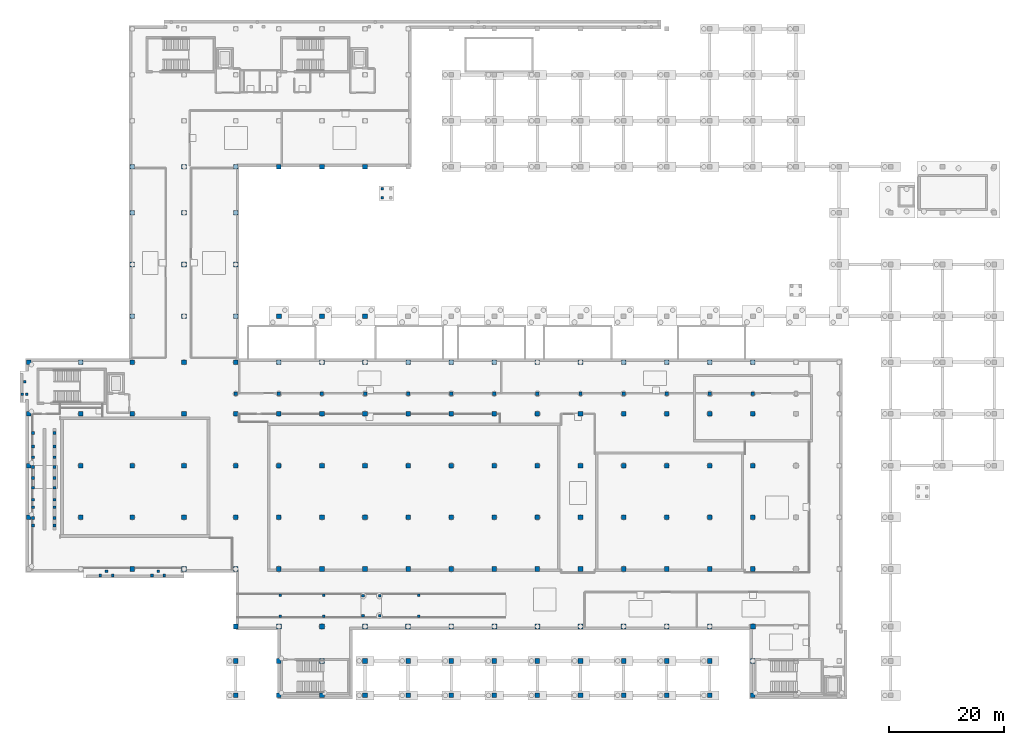
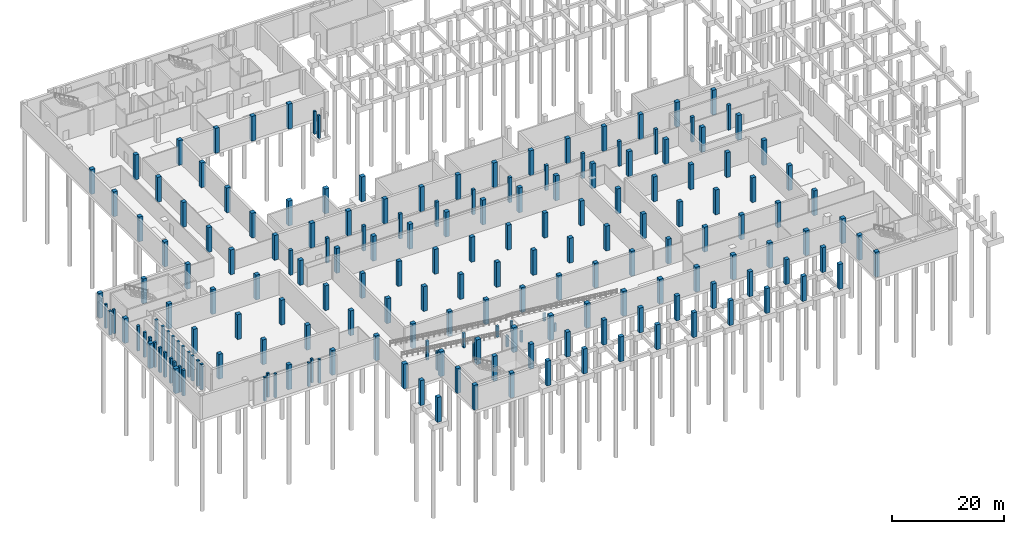
# One storey, part 4 of 19: 194 columns.
"""IFC4 building model written with IfcOpenShell, lengths in metres."""

from ifc_helpers import new_model, si_unit, direction, frame, origin, origin_2d, place, context, subcontext, project, spatial, rectangle, extrude, material, material_profile, profile_set, type_object, element, save


model = new_model("IFC4")

# Units and contexts
model_context = context("Model", 3, precision=1e-05, world=origin(), true_north=direction((0.0, 1.0)))
body_context = subcontext(model_context, "Body", "Model", "MODEL_VIEW")
ifc_project = project(units=[si_unit("LENGTHUNIT", "METRE"), si_unit("AREAUNIT", "SQUARE_METRE"), si_unit("VOLUMEUNIT", "CUBIC_METRE"), si_unit("PLANEANGLEUNIT", "RADIAN"), si_unit("MASSUNIT", "GRAM", prefix="KILO")], contexts=[model_context])

# Site, building, storey
site_placement = place(None, origin())
site = spatial("IfcSite", under=ifc_project, at=site_placement, CompositionType="ELEMENT")
building_placement = place(site_placement, origin())
building = spatial("IfcBuilding", under=site, at=building_placement, Name="Vourika Railside Aquatics Centre", CompositionType="ELEMENT")
storey_placement = place(building_placement, frame((0.0, 0.0, -5.39990234375)))
storey = spatial("IfcBuildingStorey", under=building, at=storey_placement, Name="B1", CompositionType="ELEMENT", Elevation=-5.39990234375)

# Columns
ifc_material_1 = material(Name="Concrete C35/45", Category="concrete")
ifc_material_profile_1 = material_profile(ifc_material_1, rectangle(XDim=0.449951171875, YDim=0.449951171875, at=origin_2d()), Name="RC 450x450")
ifc_profile_set_1 = profile_set([ifc_material_profile_1], Name="Concrete C35/45")
column_type_1 = type_object("IfcColumnType", Name="COL-RC450", PredefinedType="COLUMN", material=ifc_profile_set_1)
for number, where, z_axis, x_axis, name in (
    (1, (61.5, 86.64990234375, 0.0), (0.0, 0.0, 1.0), (1.0, 0.0, 0.0), "Accessible Ramp Apron Pier 2"),
    (2, (61.5, 88.14990234375, 0.0), (0.0, 0.0, 1.0), (1.0, 0.0, 0.0), "Accessible Ramp Apron Pier 2"),
):
    element("IfcColumn", number, at=place(storey_placement, frame(where, z_axis=z_axis, x_axis=x_axis)), inside=storey, type_object=column_type_1, Name=name, PredefinedType="COLUMN", context=body_context, shape_type="SweptSolid", body=[
        extrude(rectangle(XDim=0.449951171875, YDim=0.449951171875, at=origin_2d()), origin(), (0.0, 0.0, 1.0), 4.93994140625),
    ])
for number, where, z_axis, x_axis, name in (
    (3, (-1.1298828125, 52.419921875, 0.0), (0.0, 0.0, 1.0), (1.0, 0.0, 0.0), "Threshold Apron Support Pier V2W_3-1"),
    (4, (-0.3701171875, 52.419921875, 0.0), (0.0, 0.0, 1.0), (1.0, 0.0, 0.0), "Threshold Apron Support Pier V2W_3-2"),
    (5, (-0.75, 54.580078125, 0.0), (0.0, 0.0, 1.0), (1.0, 0.0, 0.0), "Threshold Apron Support Pier V2W_3-3"),
    (6, (12.419921875, 20.8701171875, 0.0), (0.0, 0.0, 1.0), (1.0, 0.0, 0.0), "Threshold Apron Support Pier V2S_1-1"),
    (7, (14.580078125, 20.8701171875, 0.0), (0.0, 0.0, 1.0), (1.0, 0.0, 0.0), "Threshold Apron Support Pier V2S_1-2"),
    (8, (13.5, 21.6298828125, 0.0), (0.0, 0.0, 1.0), (1.0, 0.0, 0.0), "Threshold Apron Support Pier V2S_1-3"),
    (9, (21.419921875, 20.8701171875, 0.0), (0.0, 0.0, 1.0), (1.0, 0.0, 0.0), "Threshold Apron Support Pier V2S_2-1"),
    (10, (23.580078125, 20.8701171875, 0.0), (0.0, 0.0, 1.0), (1.0, 0.0, 0.0), "Threshold Apron Support Pier V2S_2-2"),
    (11, (22.5, 21.6298828125, 0.0), (0.0, 0.0, 1.0), (1.0, 0.0, 0.0), "Threshold Apron Support Pier V2S_2-3"),
):
    element("IfcColumn", number, at=place(storey_placement, frame(where, z_axis=z_axis, x_axis=x_axis)), inside=storey, type_object=column_type_1, Name=name, PredefinedType="COLUMN", context=body_context, shape_type="SweptSolid", body=[
        extrude(rectangle(XDim=0.449951171875, YDim=0.449951171875, at=origin_2d()), origin(), (0.0, 0.0, 1.0), 5.18994140625),
    ])
for number, where, z_axis, x_axis, name in (
    (12, (43.760009765625, 13.75, 0.0), (0.0, 0.0, 1.0), (1.0, 0.0, 0.0), "Service Ramp Upper Pier (43.8,13.8)"),
    (13, (43.760009765625, 17.449951171875, 0.0), (0.0, 0.0, 1.0), (1.0, 0.0, 0.0), "Service Ramp Upper Pier (43.8,17.4)"),
):
    element("IfcColumn", number, at=place(storey_placement, frame(where, z_axis=z_axis, x_axis=x_axis)), inside=storey, type_object=column_type_1, Name=name, PredefinedType="COLUMN", context=body_context, shape_type="SweptSolid", body=[
        extrude(rectangle(XDim=0.449951171875, YDim=0.449951171875, at=origin_2d()), origin(), (0.0, 0.0, 1.0), 4.1748046875),
    ])
for number, where, z_axis, x_axis, name in (
    (14, (51.320068359375, 13.75, 0.0), (0.0, 0.0, 1.0), (1.0, 0.0, 0.0), "Service Ramp Upper Pier (51.3,13.8)"),
    (15, (51.320068359375, 17.449951171875, 0.0), (0.0, 0.0, 1.0), (1.0, 0.0, 0.0), "Service Ramp Upper Pier (51.3,17.4)"),
):
    element("IfcColumn", number, at=place(storey_placement, frame(where, z_axis=z_axis, x_axis=x_axis)), inside=storey, type_object=column_type_1, Name=name, PredefinedType="COLUMN", context=body_context, shape_type="SweptSolid", body=[
        extrude(rectangle(XDim=0.449951171875, YDim=0.449951171875, at=origin_2d()), origin(), (0.0, 0.0, 1.0), 3.22998046875),
    ])
for number, where, z_axis, x_axis, name in (
    (16, (58.14990234375, 13.85009765625, 0.0), (0.0, 0.0, 1.0), (1.0, 0.0, 0.0), "Service Ramp Landing Pier (58.1,13.8)"),
    (17, (58.14990234375, 17.35009765625, 0.0), (0.0, 0.0, 1.0), (1.0, 0.0, 0.0), "Service Ramp Landing Pier (58.1,17.3)"),
    (18, (61.050048828125, 13.85009765625, 0.0), (0.0, 0.0, 1.0), (1.0, 0.0, 0.0), "Service Ramp Landing Pier (61.0,13.8)"),
    (19, (61.050048828125, 17.35009765625, 0.0), (0.0, 0.0, 1.0), (1.0, 0.0, 0.0), "Service Ramp Landing Pier (61.0,17.3)"),
):
    element("IfcColumn", number, at=place(storey_placement, frame(where, z_axis=z_axis, x_axis=x_axis)), inside=storey, type_object=column_type_1, Name=name, PredefinedType="COLUMN", context=body_context, shape_type="SweptSolid", body=[
        extrude(rectangle(XDim=0.449951171875, YDim=0.449951171875, at=origin_2d()), origin(), (0.0, 0.0, 1.0), 2.419921875),
    ])
for number, where, z_axis, x_axis, name in (
    (20, (67.8798828125, 13.75, 0.0), (0.0, 0.0, 1.0), (1.0, 0.0, 0.0), "Service Ramp Lower Pier (67.9,13.8)"),
    (21, (67.8798828125, 17.449951171875, 0.0), (0.0, 0.0, 1.0), (1.0, 0.0, 0.0), "Service Ramp Lower Pier (67.9,17.4)"),
):
    element("IfcColumn", number, at=place(storey_placement, frame(where, z_axis=z_axis, x_axis=x_axis)), inside=storey, type_object=column_type_1, Name=name, PredefinedType="COLUMN", context=body_context, shape_type="SweptSolid", body=[
        extrude(rectangle(XDim=0.449951171875, YDim=0.449951171875, at=origin_2d()), origin(), (0.0, 0.0, 1.0), 1.69384765625),
    ])
ifc_material_profile_2 = material_profile(ifc_material_1, rectangle(XDim=0.5, YDim=0.5, at=origin_2d()), Name="RC 500x500")
ifc_profile_set_2 = profile_set([ifc_material_profile_2], Name="Concrete C35/45")
column_type_2 = type_object("IfcColumnType", Name="COL-RC500", PredefinedType="COLUMN", material=ifc_profile_set_2)
for number, where, z_axis, x_axis, name in (
    (22, (0.719970703125, 29.550048828125, 0.0), (0.0, 0.0, 1.0), (1.0, 0.0, 0.0), "Diving Platform 1.0 m Substructure Pier W1"),
    (23, (4.449951171875, 29.550048828125, 0.0), (0.0, 0.0, 1.0), (1.0, 0.0, 0.0), "Diving Platform 1.0 m Substructure Pier E1"),
    (24, (0.719970703125, 30.85009765625, 0.0), (0.0, 0.0, 1.0), (1.0, 0.0, 0.0), "Diving Platform 1.0 m Substructure Pier W2"),
    (25, (4.449951171875, 30.85009765625, 0.0), (0.0, 0.0, 1.0), (1.0, 0.0, 0.0), "Diving Platform 1.0 m Substructure Pier E2"),
):
    element("IfcColumn", number, at=place(storey_placement, frame(where, z_axis=z_axis, x_axis=x_axis)), inside=storey, type_object=column_type_2, Name=name, PredefinedType="COLUMN", context=body_context, shape_type="SweptSolid", body=[
        extrude(rectangle(XDim=0.5, YDim=0.5, at=origin_2d()), origin(), (0.0, 0.0, 1.0), 5.5498046875),
    ])
for number, where, z_axis, x_axis, name in (
    (26, (0.719970703125, 32.75, 0.0), (0.0, 0.0, 1.0), (1.0, 0.0, 0.0), "Diving Platform 3.0 m Substructure Pier W1"),
    (27, (4.449951171875, 32.75, 0.0), (0.0, 0.0, 1.0), (1.0, 0.0, 0.0), "Diving Platform 3.0 m Substructure Pier E1"),
    (28, (0.719970703125, 34.050048828125, 0.0), (0.0, 0.0, 1.0), (1.0, 0.0, 0.0), "Diving Platform 3.0 m Substructure Pier W2"),
    (29, (4.449951171875, 34.050048828125, 0.0), (0.0, 0.0, 1.0), (1.0, 0.0, 0.0), "Diving Platform 3.0 m Substructure Pier E2"),
    (30, (0.719970703125, 36.14990234375, 0.0), (0.0, 0.0, 1.0), (1.0, 0.0, 0.0), "Diving Platform 5.0 m Substructure Pier W1"),
    (31, (4.449951171875, 36.14990234375, 0.0), (0.0, 0.0, 1.0), (1.0, 0.0, 0.0), "Diving Platform 5.0 m Substructure Pier E1"),
    (32, (0.719970703125, 37.85009765625, 0.0), (0.0, 0.0, 1.0), (1.0, 0.0, 0.0), "Diving Platform 5.0 m Substructure Pier W2"),
    (33, (4.449951171875, 37.85009765625, 0.0), (0.0, 0.0, 1.0), (1.0, 0.0, 0.0), "Diving Platform 5.0 m Substructure Pier E2"),
    (34, (0.719970703125, 39.75, 0.0), (0.0, 0.0, 1.0), (1.0, 0.0, 0.0), "Diving Platform 7.5 m Substructure Pier W1"),
    (35, (4.449951171875, 39.75, 0.0), (0.0, 0.0, 1.0), (1.0, 0.0, 0.0), "Diving Platform 7.5 m Substructure Pier E1"),
    (36, (0.719970703125, 41.449951171875, 0.0), (0.0, 0.0, 1.0), (1.0, 0.0, 0.0), "Diving Platform 7.5 m Substructure Pier W2"),
    (37, (4.449951171875, 41.449951171875, 0.0), (0.0, 0.0, 1.0), (1.0, 0.0, 0.0), "Diving Platform 7.5 m Substructure Pier E2"),
    (38, (0.719970703125, 43.35009765625, 0.0), (0.0, 0.0, 1.0), (1.0, 0.0, 0.0), "Diving Platform 10.0 m Substructure Pier W1"),
    (39, (4.449951171875, 43.35009765625, 0.0), (0.0, 0.0, 1.0), (1.0, 0.0, 0.0), "Diving Platform 10.0 m Substructure Pier E1"),
    (40, (0.719970703125, 45.64990234375, 0.0), (0.0, 0.0, 1.0), (1.0, 0.0, 0.0), "Diving Platform 10.0 m Substructure Pier W2"),
    (41, (4.449951171875, 45.64990234375, 0.0), (0.0, 0.0, 1.0), (1.0, 0.0, 0.0), "Diving Platform 10.0 m Substructure Pier E2"),
):
    element("IfcColumn", number, at=place(storey_placement, frame(where, z_axis=z_axis, x_axis=x_axis)), inside=storey, type_object=column_type_2, Name=name, PredefinedType="COLUMN", context=body_context, shape_type="SweptSolid", body=[
        extrude(rectangle(XDim=0.5, YDim=0.5, at=origin_2d()), origin(), (0.0, 0.0, 1.0), 5.39990234375),
    ])
ifc_material_2 = material(Name="Concrete C40/50", Category="concrete")
ifc_material_profile_3 = material_profile(ifc_material_2, rectangle(XDim=0.60009765625, YDim=0.60009765625, at=origin_2d()), Name="RC 600x600")
ifc_profile_set_3 = profile_set([ifc_material_profile_3], Name="Concrete C40/50")
column_type_3 = type_object("IfcColumnType", Name="COL-RC600", PredefinedType="COLUMN", material=ifc_profile_set_3)
for number, where, z_axis, x_axis, name in (
    (42, (36.0, 52.5, 0.0), (0.0, 0.0, 1.0), (1.0, 0.0, 0.0), "Grandstand Substructure Column 36.0"),
    (43, (43.5, 52.5, 0.0), (0.0, 0.0, 1.0), (1.0, 0.0, 0.0), "Grandstand Substructure Column 43.5"),
    (44, (51.0, 52.5, 0.0), (0.0, 0.0, 1.0), (1.0, 0.0, 0.0), "Grandstand Substructure Column 51.0"),
    (45, (58.5, 52.5, 0.0), (0.0, 0.0, 1.0), (1.0, 0.0, 0.0), "Grandstand Substructure Column 58.5"),
    (46, (66.0, 52.5, 0.0), (0.0, 0.0, 1.0), (1.0, 0.0, 0.0), "Grandstand Substructure Column 66.0"),
    (47, (73.5, 52.5, 0.0), (0.0, 0.0, 1.0), (1.0, 0.0, 0.0), "Grandstand Substructure Column 73.5"),
    (48, (81.0, 52.5, 0.0), (0.0, 0.0, 1.0), (1.0, 0.0, 0.0), "Grandstand Substructure Column 81.0"),
    (49, (88.5, 52.5, 0.0), (0.0, 0.0, 1.0), (1.0, 0.0, 0.0), "Grandstand Substructure Column 88.5"),
    (50, (96.0, 52.5, 0.0), (0.0, 0.0, 1.0), (1.0, 0.0, 0.0), "Grandstand Substructure Column 96.0"),
    (51, (103.5, 52.5, 0.0), (0.0, 0.0, 1.0), (1.0, 0.0, 0.0), "Grandstand Substructure Column 103.5"),
    (52, (111.0, 52.5, 0.0), (0.0, 0.0, 1.0), (1.0, 0.0, 0.0), "Grandstand Substructure Column 111.0"),
    (53, (118.5, 52.5, 0.0), (0.0, 0.0, 1.0), (1.0, 0.0, 0.0), "Grandstand Substructure Column 118.5"),
    (54, (126.0, 52.5, 0.0), (0.0, 0.0, 1.0), (1.0, 0.0, 0.0), "Grandstand Substructure Column 126.0"),
):
    element("IfcColumn", number, at=place(storey_placement, frame(where, z_axis=z_axis, x_axis=x_axis)), inside=storey, type_object=column_type_3, Name=name, PredefinedType="COLUMN", context=body_context, shape_type="SweptSolid", body=[
        extrude(rectangle(XDim=0.60009765625, YDim=0.60009765625, at=origin_2d()), origin(), (0.0, 0.0, 1.0), 5.39990234375),
    ])
ifc_material_profile_4 = material_profile(ifc_material_2, rectangle(XDim=0.800048828125, YDim=0.800048828125, at=origin_2d()), Name="RC 800x800")
ifc_profile_set_4 = profile_set([ifc_material_profile_4], Name="Concrete C40/50")
column_type_4 = type_object("IfcColumnType", Name="COL-RC800", PredefinedType="COLUMN", material=ifc_profile_set_4)
for number, where, z_axis, x_axis, name in (
    (55, (0.0, 31.0, 0.0), (0.0, 0.0, 1.0), (1.0, 0.0, 0.0), "Column col:B1:0_310"),
    (56, (0.0, 40.0, 0.0), (0.0, 0.0, 1.0), (1.0, 0.0, 0.0), "Column col:B1:0_400"),
    (57, (0.0, 49.0, 0.0), (0.0, 0.0, 1.0), (1.0, 0.0, 0.0), "Column col:B1:0_490"),
    (58, (0.0, 58.0, 0.0), (0.0, 0.0, 1.0), (1.0, 0.0, 0.0), "Column col:B1:0_580"),
    (59, (9.0, 31.0, 0.0), (0.0, 0.0, 1.0), (1.0, 0.0, 0.0), "Column col:B1:90_310"),
    (60, (9.0, 40.0, 0.0), (0.0, 0.0, 1.0), (1.0, 0.0, 0.0), "Column col:B1:90_400"),
    (61, (9.0, 49.0, 0.0), (0.0, 0.0, 1.0), (1.0, 0.0, 0.0), "Column col:B1:90_490"),
    (62, (9.0, 58.0, 0.0), (0.0, 0.0, 1.0), (1.0, 0.0, 0.0), "Column col:B1:90_580"),
    (63, (18.0, 22.0, 0.0), (0.0, 0.0, 1.0), (1.0, 0.0, 0.0), "Column col:B1:180_220"),
    (64, (18.0, 31.0, 0.0), (0.0, 0.0, 1.0), (1.0, 0.0, 0.0), "Column col:B1:180_310"),
    (65, (18.0, 40.0, 0.0), (0.0, 0.0, 1.0), (1.0, 0.0, 0.0), "Column col:B1:180_400"),
    (66, (18.0, 49.0, 0.0), (0.0, 0.0, 1.0), (1.0, 0.0, 0.0), "Column col:B1:180_490"),
    (67, (18.0, 58.0, 0.0), (0.0, 0.0, 1.0), (1.0, 0.0, 0.0), "Column col:B1:180_580"),
    (68, (18.0, 66.0, 0.0), (0.0, 0.0, 1.0), (1.0, 0.0, 0.0), "Column col:B1:180_660"),
    (69, (18.0, 75.0, 0.0), (0.0, 0.0, 1.0), (1.0, 0.0, 0.0), "Column col:B1:180_750"),
    (70, (18.0, 84.0, 0.0), (0.0, 0.0, 1.0), (1.0, 0.0, 0.0), "Column col:B1:180_840"),
    (71, (18.0, 92.0, 0.0), (0.0, 0.0, 1.0), (1.0, 0.0, 0.0), "Column col:B1:180_920"),
    (72, (27.0, 22.0, 0.0), (0.0, 0.0, 1.0), (1.0, 0.0, 0.0), "Column col:B1:270_220"),
    (73, (27.0, 31.0, 0.0), (0.0, 0.0, 1.0), (1.0, 0.0, 0.0), "Column col:B1:270_310"),
    (74, (27.0, 40.0, 0.0), (0.0, 0.0, 1.0), (1.0, 0.0, 0.0), "Column col:B1:270_400"),
    (75, (27.0, 49.0, 0.0), (0.0, 0.0, 1.0), (1.0, 0.0, 0.0), "Column col:B1:270_490"),
    (76, (27.0, 58.0, 0.0), (0.0, 0.0, 1.0), (1.0, 0.0, 0.0), "Column col:B1:270_580"),
    (77, (27.0, 66.0, 0.0), (0.0, 0.0, 1.0), (1.0, 0.0, 0.0), "Column col:B1:270_660"),
    (78, (27.0, 75.0, 0.0), (0.0, 0.0, 1.0), (1.0, 0.0, 0.0), "Column col:B1:270_750"),
    (79, (27.0, 84.0, 0.0), (0.0, 0.0, 1.0), (1.0, 0.0, 0.0), "Column col:B1:270_840"),
    (80, (27.0, 92.0, 0.0), (0.0, 0.0, 1.0), (1.0, 0.0, 0.0), "Column col:B1:270_920"),
    (81, (36.0, 0.0, 0.0), (0.0, 0.0, 1.0), (1.0, 0.0, 0.0), "Column col:B1:360_0"),
    (82, (36.0, 6.0, 0.0), (0.0, 0.0, 1.0), (1.0, 0.0, 0.0), "Column col:B1:360_60"),
    (83, (36.0, 22.0, 0.0), (0.0, 0.0, 1.0), (1.0, 0.0, 0.0), "Column col:B1:360_220"),
    (84, (36.0, 31.0, 0.0), (0.0, 0.0, 1.0), (1.0, 0.0, 0.0), "Column col:B1:360_310"),
    (85, (36.0, 40.0, 0.0), (0.0, 0.0, 1.0), (1.0, 0.0, 0.0), "Column col:B1:360_400"),
    (86, (36.0, 49.0, 0.0), (0.0, 0.0, 1.0), (1.0, 0.0, 0.0), "Column col:B1:360_490"),
    (87, (36.0, 58.0, 0.0), (0.0, 0.0, 1.0), (1.0, 0.0, 0.0), "Column col:B1:360_580"),
    (88, (36.0, 75.0, 0.0), (0.0, 0.0, 1.0), (1.0, 0.0, 0.0), "Column col:B1:360_750"),
    (89, (36.0, 84.0, 0.0), (0.0, 0.0, 1.0), (1.0, 0.0, 0.0), "Column col:B1:360_840"),
    (90, (36.0, 92.0, 0.0), (0.0, 0.0, 1.0), (1.0, 0.0, 0.0), "Column col:B1:360_920"),
    (91, (43.5, 0.0, 0.0), (0.0, 0.0, 1.0), (1.0, 0.0, 0.0), "Column col:B1:435_0"),
    (92, (43.5, 6.0, 0.0), (0.0, 0.0, 1.0), (1.0, 0.0, 0.0), "Column col:B1:435_60"),
    (93, (43.5, 22.0, 0.0), (0.0, 0.0, 1.0), (1.0, 0.0, 0.0), "Column col:B1:435_220"),
    (94, (43.5, 31.0, 0.0), (0.0, 0.0, 1.0), (1.0, 0.0, 0.0), "Column col:B1:435_310"),
    (95, (43.5, 40.0, 0.0), (0.0, 0.0, 1.0), (1.0, 0.0, 0.0), "Column col:B1:435_400"),
    (96, (43.5, 49.0, 0.0), (0.0, 0.0, 1.0), (1.0, 0.0, 0.0), "Column col:B1:435_490"),
    (97, (43.5, 58.0, 0.0), (0.0, 0.0, 1.0), (1.0, 0.0, 0.0), "Column col:B1:435_580"),
    (98, (43.5, 92.0, 0.0), (0.0, 0.0, 1.0), (1.0, 0.0, 0.0), "Column col:B1:435_920"),
    (99, (51.0, 0.0, 0.0), (0.0, 0.0, 1.0), (1.0, 0.0, 0.0), "Column col:B1:510_0"),
    (100, (51.0, 6.0, 0.0), (0.0, 0.0, 1.0), (1.0, 0.0, 0.0), "Column col:B1:510_60"),
    (101, (51.0, 22.0, 0.0), (0.0, 0.0, 1.0), (1.0, 0.0, 0.0), "Column col:B1:510_220"),
    (102, (51.0, 31.0, 0.0), (0.0, 0.0, 1.0), (1.0, 0.0, 0.0), "Column col:B1:510_310"),
    (103, (51.0, 40.0, 0.0), (0.0, 0.0, 1.0), (1.0, 0.0, 0.0), "Column col:B1:510_400"),
    (104, (51.0, 49.0, 0.0), (0.0, 0.0, 1.0), (1.0, 0.0, 0.0), "Column col:B1:510_490"),
    (105, (51.0, 58.0, 0.0), (0.0, 0.0, 1.0), (1.0, 0.0, 0.0), "Column col:B1:510_580"),
    (106, (51.0, 92.0, 0.0), (0.0, 0.0, 1.0), (1.0, 0.0, 0.0), "Column col:B1:510_920"),
    (107, (58.5, 0.0, 0.0), (0.0, 0.0, 1.0), (1.0, 0.0, 0.0), "Column col:B1:585_0"),
    (108, (58.5, 6.0, 0.0), (0.0, 0.0, 1.0), (1.0, 0.0, 0.0), "Column col:B1:585_60"),
    (109, (58.5, 22.0, 0.0), (0.0, 0.0, 1.0), (1.0, 0.0, 0.0), "Column col:B1:585_220"),
    (110, (58.5, 31.0, 0.0), (0.0, 0.0, 1.0), (1.0, 0.0, 0.0), "Column col:B1:585_310"),
    (111, (58.5, 40.0, 0.0), (0.0, 0.0, 1.0), (1.0, 0.0, 0.0), "Column col:B1:585_400"),
    (112, (58.5, 49.0, 0.0), (0.0, 0.0, 1.0), (1.0, 0.0, 0.0), "Column col:B1:585_490"),
    (113, (58.5, 58.0, 0.0), (0.0, 0.0, 1.0), (1.0, 0.0, 0.0), "Column col:B1:585_580"),
    (114, (58.5, 92.0, 0.0), (0.0, 0.0, 1.0), (1.0, 0.0, 0.0), "Column col:B1:585_920"),
    (115, (66.0, 0.0, 0.0), (0.0, 0.0, 1.0), (1.0, 0.0, 0.0), "Column col:B1:660_0"),
    (116, (66.0, 6.0, 0.0), (0.0, 0.0, 1.0), (1.0, 0.0, 0.0), "Column col:B1:660_60"),
    (117, (66.0, 22.0, 0.0), (0.0, 0.0, 1.0), (1.0, 0.0, 0.0), "Column col:B1:660_220"),
    (118, (66.0, 31.0, 0.0), (0.0, 0.0, 1.0), (1.0, 0.0, 0.0), "Column col:B1:660_310"),
    (119, (66.0, 40.0, 0.0), (0.0, 0.0, 1.0), (1.0, 0.0, 0.0), "Column col:B1:660_400"),
    (120, (66.0, 49.0, 0.0), (0.0, 0.0, 1.0), (1.0, 0.0, 0.0), "Column col:B1:660_490"),
    (121, (66.0, 58.0, 0.0), (0.0, 0.0, 1.0), (1.0, 0.0, 0.0), "Column col:B1:660_580"),
    (122, (73.5, 0.0, 0.0), (0.0, 0.0, 1.0), (1.0, 0.0, 0.0), "Column col:B1:735_0"),
    (123, (73.5, 6.0, 0.0), (0.0, 0.0, 1.0), (1.0, 0.0, 0.0), "Column col:B1:735_60"),
    (124, (73.5, 22.0, 0.0), (0.0, 0.0, 1.0), (1.0, 0.0, 0.0), "Column col:B1:735_220"),
    (125, (73.5, 31.0, 0.0), (0.0, 0.0, 1.0), (1.0, 0.0, 0.0), "Column col:B1:735_310"),
    (126, (73.5, 40.0, 0.0), (0.0, 0.0, 1.0), (1.0, 0.0, 0.0), "Column col:B1:735_400"),
    (127, (73.5, 49.0, 0.0), (0.0, 0.0, 1.0), (1.0, 0.0, 0.0), "Column col:B1:735_490"),
    (128, (73.5, 58.0, 0.0), (0.0, 0.0, 1.0), (1.0, 0.0, 0.0), "Column col:B1:735_580"),
    (129, (81.0, 0.0, 0.0), (0.0, 0.0, 1.0), (1.0, 0.0, 0.0), "Column col:B1:810_0"),
    (130, (81.0, 6.0, 0.0), (0.0, 0.0, 1.0), (1.0, 0.0, 0.0), "Column col:B1:810_60"),
    (131, (81.0, 22.0, 0.0), (0.0, 0.0, 1.0), (1.0, 0.0, 0.0), "Column col:B1:810_220"),
    (132, (81.0, 31.0, 0.0), (0.0, 0.0, 1.0), (1.0, 0.0, 0.0), "Column col:B1:810_310"),
    (133, (81.0, 40.0, 0.0), (0.0, 0.0, 1.0), (1.0, 0.0, 0.0), "Column col:B1:810_400"),
    (134, (81.0, 49.0, 0.0), (0.0, 0.0, 1.0), (1.0, 0.0, 0.0), "Column col:B1:810_490"),
    (135, (81.0, 58.0, 0.0), (0.0, 0.0, 1.0), (1.0, 0.0, 0.0), "Column col:B1:810_580"),
    (136, (88.5, 0.0, 0.0), (0.0, 0.0, 1.0), (1.0, 0.0, 0.0), "Column col:B1:885_0"),
    (137, (88.5, 6.0, 0.0), (0.0, 0.0, 1.0), (1.0, 0.0, 0.0), "Column col:B1:885_60"),
    (138, (88.5, 22.0, 0.0), (0.0, 0.0, 1.0), (1.0, 0.0, 0.0), "Column col:B1:885_220"),
    (139, (88.5, 31.0, 0.0), (0.0, 0.0, 1.0), (1.0, 0.0, 0.0), "Column col:B1:885_310"),
    (140, (88.5, 40.0, 0.0), (0.0, 0.0, 1.0), (1.0, 0.0, 0.0), "Column col:B1:885_400"),
    (141, (88.5, 49.0, 0.0), (0.0, 0.0, 1.0), (1.0, 0.0, 0.0), "Column col:B1:885_490"),
    (142, (88.5, 58.0, 0.0), (0.0, 0.0, 1.0), (1.0, 0.0, 0.0), "Column col:B1:885_580"),
    (143, (96.0, 0.0, 0.0), (0.0, 0.0, 1.0), (1.0, 0.0, 0.0), "Column col:B1:960_0"),
    (144, (96.0, 6.0, 0.0), (0.0, 0.0, 1.0), (1.0, 0.0, 0.0), "Column col:B1:960_60"),
    (145, (96.0, 22.0, 0.0), (0.0, 0.0, 1.0), (1.0, 0.0, 0.0), "Column col:B1:960_220"),
    (146, (96.0, 31.0, 0.0), (0.0, 0.0, 1.0), (1.0, 0.0, 0.0), "Column col:B1:960_310"),
    (147, (96.0, 40.0, 0.0), (0.0, 0.0, 1.0), (1.0, 0.0, 0.0), "Column col:B1:960_400"),
    (148, (96.0, 49.0, 0.0), (0.0, 0.0, 1.0), (1.0, 0.0, 0.0), "Column col:B1:960_490"),
    (149, (96.0, 58.0, 0.0), (0.0, 0.0, 1.0), (1.0, 0.0, 0.0), "Column col:B1:960_580"),
    (150, (103.5, 0.0, 0.0), (0.0, 0.0, 1.0), (1.0, 0.0, 0.0), "Column col:B1:1035_0"),
    (151, (103.5, 6.0, 0.0), (0.0, 0.0, 1.0), (1.0, 0.0, 0.0), "Column col:B1:1035_60"),
    (152, (103.5, 22.0, 0.0), (0.0, 0.0, 1.0), (1.0, 0.0, 0.0), "Column col:B1:1035_220"),
    (153, (103.5, 31.0, 0.0), (0.0, 0.0, 1.0), (1.0, 0.0, 0.0), "Column col:B1:1035_310"),
    (154, (103.5, 40.0, 0.0), (0.0, 0.0, 1.0), (1.0, 0.0, 0.0), "Column col:B1:1035_400"),
    (155, (103.5, 49.0, 0.0), (0.0, 0.0, 1.0), (1.0, 0.0, 0.0), "Column col:B1:1035_490"),
    (156, (103.5, 58.0, 0.0), (0.0, 0.0, 1.0), (1.0, 0.0, 0.0), "Column col:B1:1035_580"),
    (157, (111.0, 0.0, 0.0), (0.0, 0.0, 1.0), (1.0, 0.0, 0.0), "Column col:B1:1110_0"),
    (158, (111.0, 6.0, 0.0), (0.0, 0.0, 1.0), (1.0, 0.0, 0.0), "Column col:B1:1110_60"),
    (159, (111.0, 22.0, 0.0), (0.0, 0.0, 1.0), (1.0, 0.0, 0.0), "Column col:B1:1110_220"),
    (160, (111.0, 31.0, 0.0), (0.0, 0.0, 1.0), (1.0, 0.0, 0.0), "Column col:B1:1110_310"),
    (161, (111.0, 40.0, 0.0), (0.0, 0.0, 1.0), (1.0, 0.0, 0.0), "Column col:B1:1110_400"),
    (162, (111.0, 49.0, 0.0), (0.0, 0.0, 1.0), (1.0, 0.0, 0.0), "Column col:B1:1110_490"),
    (163, (111.0, 58.0, 0.0), (0.0, 0.0, 1.0), (1.0, 0.0, 0.0), "Column col:B1:1110_580"),
    (164, (118.5, 0.0, 0.0), (0.0, 0.0, 1.0), (1.0, 0.0, 0.0), "Column col:B1:1185_0"),
    (165, (118.5, 6.0, 0.0), (0.0, 0.0, 1.0), (1.0, 0.0, 0.0), "Column col:B1:1185_60"),
    (166, (118.5, 22.0, 0.0), (0.0, 0.0, 1.0), (1.0, 0.0, 0.0), "Column col:B1:1185_220"),
    (167, (118.5, 31.0, 0.0), (0.0, 0.0, 1.0), (1.0, 0.0, 0.0), "Column col:B1:1185_310"),
    (168, (118.5, 40.0, 0.0), (0.0, 0.0, 1.0), (1.0, 0.0, 0.0), "Column col:B1:1185_400"),
    (169, (118.5, 49.0, 0.0), (0.0, 0.0, 1.0), (1.0, 0.0, 0.0), "Column col:B1:1185_490"),
    (170, (118.5, 58.0, 0.0), (0.0, 0.0, 1.0), (1.0, 0.0, 0.0), "Column col:B1:1185_580"),
    (171, (126.0, 0.0, 0.0), (0.0, 0.0, 1.0), (1.0, 0.0, 0.0), "Column col:B1:1260_0"),
    (172, (126.0, 6.0, 0.0), (0.0, 0.0, 1.0), (1.0, 0.0, 0.0), "Column col:B1:1260_60"),
    (173, (126.0, 22.0, 0.0), (0.0, 0.0, 1.0), (1.0, 0.0, 0.0), "Column col:B1:1260_220"),
    (174, (126.0, 31.0, 0.0), (0.0, 0.0, 1.0), (1.0, 0.0, 0.0), "Column col:B1:1260_310"),
    (175, (126.0, 40.0, 0.0), (0.0, 0.0, 1.0), (1.0, 0.0, 0.0), "Column col:B1:1260_400"),
    (176, (126.0, 49.0, 0.0), (0.0, 0.0, 1.0), (1.0, 0.0, 0.0), "Column col:B1:1260_490"),
    (177, (126.0, 58.0, 0.0), (0.0, 0.0, 1.0), (1.0, 0.0, 0.0), "Column col:B1:1260_580"),
):
    element("IfcColumn", number, at=place(storey_placement, frame(where, z_axis=z_axis, x_axis=x_axis)), inside=storey, type_object=column_type_4, Name=name, PredefinedType="COLUMN", context=body_context, shape_type="SweptSolid", body=[
        extrude(rectangle(XDim=0.800048828125, YDim=0.800048828125, at=origin_2d()), origin(), (0.0, 0.0, 1.0), 5.39990234375),
    ])
ifc_material_profile_5 = material_profile(ifc_material_2, rectangle(XDim=0.85009765625, YDim=0.85009765625, at=origin_2d()), Name="RC 850x850")
ifc_profile_set_5 = profile_set([ifc_material_profile_5], Name="Concrete C40/50")
column_type_5 = type_object("IfcColumnType", Name="COL-RC850", PredefinedType="COLUMN", material=ifc_profile_set_5)
for number, where, z_axis, x_axis, name in (
    (178, (36.0, 12.0, 0.0), (0.0, 0.0, 1.0), (1.0, 0.0, 0.0), "Column col:B1:360_120"),
    (179, (36.0, 66.0, 0.0), (0.0, 0.0, 1.0), (1.0, 0.0, 0.0), "Column col:B1:360_660"),
    (180, (43.5, 12.0, 0.0), (0.0, 0.0, 1.0), (1.0, 0.0, 0.0), "Column col:B1:435_120"),
    (181, (43.5, 66.0, 0.0), (0.0, 0.0, 1.0), (1.0, 0.0, 0.0), "Column col:B1:435_660"),
    (182, (51.0, 12.0, 0.0), (0.0, 0.0, 1.0), (1.0, 0.0, 0.0), "Column col:B1:510_120"),
    (183, (51.0, 66.0, 0.0), (0.0, 0.0, 1.0), (1.0, 0.0, 0.0), "Column col:B1:510_660"),
    (184, (58.5, 12.0, 0.0), (0.0, 0.0, 1.0), (1.0, 0.0, 0.0), "Column col:B1:585_120"),
    (185, (58.5, 66.0, 0.0), (0.0, 0.0, 1.0), (1.0, 0.0, 0.0), "Column col:B1:585_660"),
    (186, (66.0, 12.0, 0.0), (0.0, 0.0, 1.0), (1.0, 0.0, 0.0), "Column col:B1:660_120"),
    (187, (73.5, 12.0, 0.0), (0.0, 0.0, 1.0), (1.0, 0.0, 0.0), "Column col:B1:735_120"),
    (188, (81.0, 12.0, 0.0), (0.0, 0.0, 1.0), (1.0, 0.0, 0.0), "Column col:B1:810_120"),
    (189, (88.5, 12.0, 0.0), (0.0, 0.0, 1.0), (1.0, 0.0, 0.0), "Column col:B1:885_120"),
    (190, (96.0, 12.0, 0.0), (0.0, 0.0, 1.0), (1.0, 0.0, 0.0), "Column col:B1:960_120"),
    (191, (103.5, 12.0, 0.0), (0.0, 0.0, 1.0), (1.0, 0.0, 0.0), "Column col:B1:1035_120"),
    (192, (111.0, 12.0, 0.0), (0.0, 0.0, 1.0), (1.0, 0.0, 0.0), "Column col:B1:1110_120"),
    (193, (118.5, 12.0, 0.0), (0.0, 0.0, 1.0), (1.0, 0.0, 0.0), "Column col:B1:1185_120"),
    (194, (126.0, 12.0, 0.0), (0.0, 0.0, 1.0), (1.0, 0.0, 0.0), "Column col:B1:1260_120"),
):
    element("IfcColumn", number, at=place(storey_placement, frame(where, z_axis=z_axis, x_axis=x_axis)), inside=storey, type_object=column_type_5, Name=name, PredefinedType="COLUMN", context=body_context, shape_type="SweptSolid", body=[
        extrude(rectangle(XDim=0.85009765625, YDim=0.85009765625, at=origin_2d()), origin(), (0.0, 0.0, 1.0), 5.39990234375),
    ])

save(model, "model.ifc")
